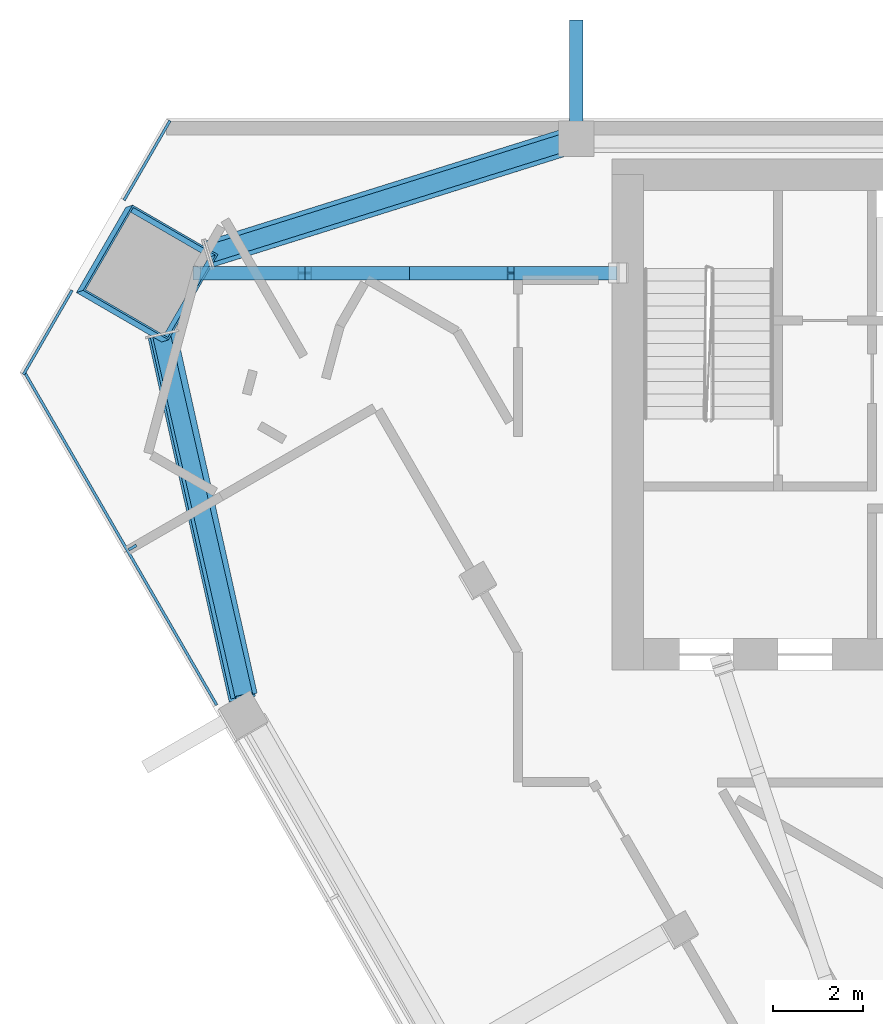
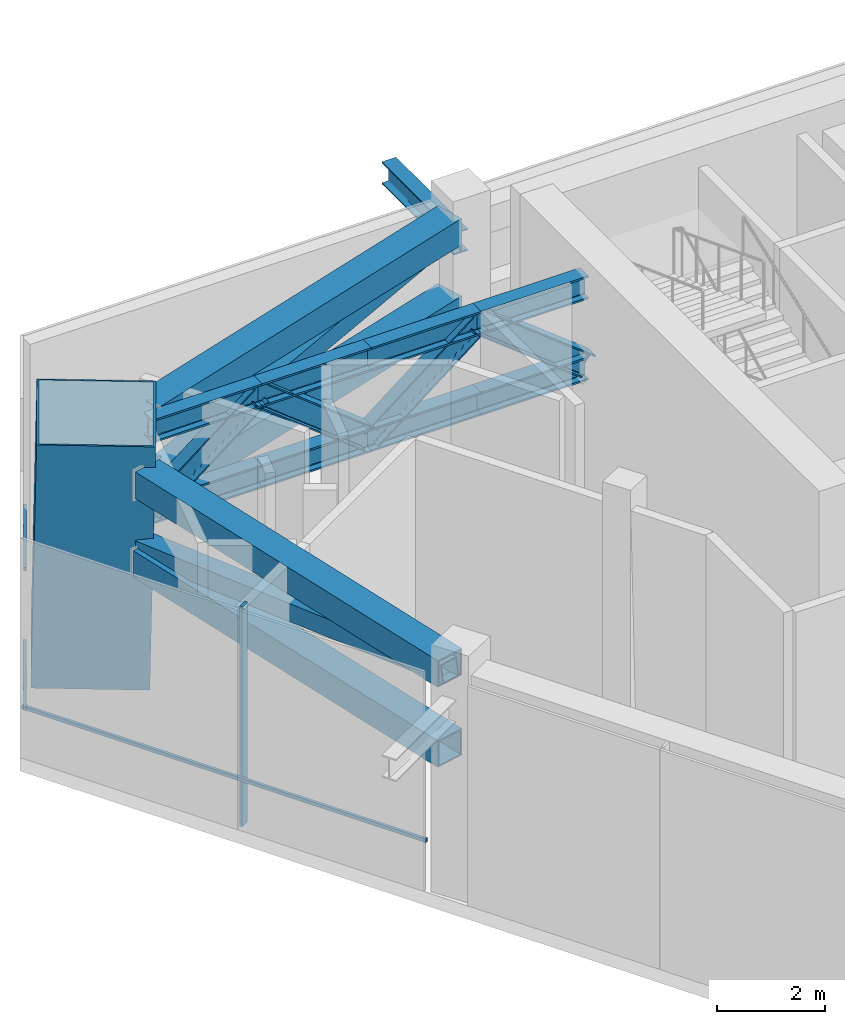
# One storey, part 5 of 14: 24 members, 2 elements without a shape of their own.
"""IFC4 building model written with IfcOpenShell, lengths in metres."""

from ifc_helpers import new_model, si_unit, direction, frame, origin, origin_2d, place, context, subcontext, project, spatial, rectangle, hollow_rectangle, i_section, extrude, material, layer, layer_set, material_profile, profile_set, type_object, element, aggregate, save


model = new_model("IFC4")

# Units and contexts
model_context = context("Model", 3, precision=1e-05, world=origin(), true_north=direction((0.0, 1.0)))
body_context = subcontext(model_context, "Body", "Model", "MODEL_VIEW")
ifc_project = project(units=[si_unit("LENGTHUNIT", "METRE"), si_unit("AREAUNIT", "SQUARE_METRE"), si_unit("VOLUMEUNIT", "CUBIC_METRE"), si_unit("PLANEANGLEUNIT", "RADIAN"), si_unit("MASSUNIT", "GRAM", prefix="KILO")], contexts=[model_context])

# Site, building, storey
site_placement = place(None, origin())
site = spatial("IfcSite", under=ifc_project, at=site_placement, CompositionType="ELEMENT")
building_placement = place(site_placement, origin())
building = spatial("IfcBuilding", under=site, at=building_placement, Name="Altiplano Prism Tower", CompositionType="ELEMENT")
storey_placement = place(building_placement, frame((0.0, 0.0, 189.0)))
storey = spatial("IfcBuildingStorey", under=building, at=storey_placement, Name="L49", CompositionType="ELEMENT", Elevation=189.0)

# Members
ifc_material_1 = material(Name="Steel S355", Category="steel")
ifc_material_profile_1 = material_profile(ifc_material_1, hollow_rectangle(XDim=0.60009765625, YDim=0.60009765625, WallThickness=0.030029296875, at=origin_2d()), Name="Belt chord Box 600x600x30")
ifc_profile_set_1 = profile_set([ifc_material_profile_1], Name="Steel S355")
member_type_1 = type_object("IfcMemberType", Name="Belt chord Box 600x600x30", PredefinedType="CHORD", material=ifc_profile_set_1)
member_1_placement = place(storey_placement, frame((71.214599609375, 104.46044921875, 2.89990234375), z_axis=(-0.954049873713, -0.299647857439, 0.0), x_axis=(0.299647857439, -0.954049873713, 0.0)))
element("IfcMember", 1, at=member_1_placement, inside=storey, type_object=member_type_1, Name="Belt truss R2 chord b4", PredefinedType="CHORD", context=body_context, shape_type="SweptSolid", body=[
    extrude(hollow_rectangle(XDim=0.60009765625, YDim=0.60009765625, WallThickness=0.030029296875, at=origin_2d()), origin(), (0.0, 0.0, 1.0), 8.311279296875),
])
member_2_placement = place(storey_placement, frame((71.214599609375, 104.46044921875, 4.64990234375), z_axis=(-0.954068816021, -0.299587540289, 0.0), x_axis=(0.299587540289, -0.954068816021, 0.0)))
element("IfcMember", 2, at=member_2_placement, inside=storey, type_object=member_type_1, Name="Belt truss R2 chord t4", PredefinedType="CHORD", context=body_context, shape_type="SweptSolid", body=[
    extrude(hollow_rectangle(XDim=0.60009765625, YDim=0.60009765625, WallThickness=0.030029296875, at=origin_2d()), origin(), (0.0, 0.0, 1.0), 8.25927734375),
])
member_3_placement = place(storey_placement, frame((62.243896484375, 100.166748046875, 2.89990234375), z_axis=(0.217552476104, -0.97604862591, 0.0), x_axis=(0.97604862591, 0.217552476104, 0.0)))
element("IfcMember", 3, at=member_3_placement, inside=storey, type_object=member_type_1, Name="Belt truss R2 chord b5", PredefinedType="CHORD", context=body_context, shape_type="SweptSolid", body=[
    extrude(hollow_rectangle(XDim=0.60009765625, YDim=0.60009765625, WallThickness=0.030029296875, at=origin_2d()), origin(), (0.0, 0.0, 1.0), 8.31103515625),
])
member_4_placement = place(storey_placement, frame((62.293701171875, 100.18310546875, 4.64990234375), z_axis=(0.21759709034, -0.976038680727, 0.0), x_axis=(0.976038680727, 0.21759709034, 0.0)))
element("IfcMember", 4, at=member_4_placement, inside=storey, type_object=member_type_1, Name="Belt truss R2 chord t5", PredefinedType="CHORD", context=body_context, shape_type="SweptSolid", body=[
    extrude(hollow_rectangle(XDim=0.60009765625, YDim=0.60009765625, WallThickness=0.030029296875, at=origin_2d()), origin(), (0.0, 0.0, 1.0), 8.259033203125),
])
ifc_material_profile_2 = material_profile(ifc_material_1, hollow_rectangle(XDim=0.39990234375, YDim=0.39990234375, WallThickness=0.02001953125, at=origin_2d()), Name="Belt diagonal Box 400x400x20")
ifc_profile_set_2 = profile_set([ifc_material_profile_2], Name="Steel S355")
member_type_2 = type_object("IfcMemberType", Name="Belt diagonal Box 400x400x20", PredefinedType="BRACE", material=ifc_profile_set_2)
member_5_placement = place(storey_placement, frame((71.214599609375, 104.46044921875, 4.59765625), z_axis=(-0.939842309471, -0.295176604733, -0.171951171401), x_axis=(0.299639594502, -0.954052468896, 0.0)))
element("IfcMember", 5, at=member_5_placement, inside=storey, type_object=member_type_2, Name="Belt truss R2 diagonal 4", PredefinedType="BRACE", context=body_context, shape_type="SweptSolid", body=[
    extrude(hollow_rectangle(XDim=0.39990234375, YDim=0.39990234375, WallThickness=0.02001953125, at=origin_2d()), origin(), (0.0, 0.0, 1.0), 8.477783203125),
])
member_6_placement = place(storey_placement, frame((62.242431640625, 100.20751953125, 3.14111328125), z_axis=(0.219321908095, -0.960203780052, 0.172935252054), x_axis=(0.974892292122, 0.222676938101, 0.0)))
element("IfcMember", 6, at=member_6_placement, inside=storey, type_object=member_type_2, Name="Belt truss R2 diagonal 5", PredefinedType="BRACE", context=body_context, shape_type="SweptSolid", body=[
    extrude(hollow_rectangle(XDim=0.39990234375, YDim=0.39990234375, WallThickness=0.02001953125, at=origin_2d()), origin(), (0.0, 0.0, 1.0), 8.421142578125),
])
ifc_material_profile_3 = material_profile(ifc_material_1, i_section(OverallWidth=0.300048828125, OverallDepth=0.5, WebThickness=0.014404296875, FlangeThickness=0.028076171875, FilletRadius=0.027099609375, at=origin_2d()), Name="Brace bracket HEB 500")
ifc_profile_set_3 = profile_set([ifc_material_profile_3], Name="Steel S355")
member_type_3 = type_object("IfcMemberType", Name="Brace bracket HEB 500", PredefinedType="STRUT", material=ifc_profile_set_3)
member_7_placement = place(storey_placement, frame((71.5, 104.550048828125, 4.12353515625), z_axis=(0.0, 1.0, 0.0), x_axis=(-1.0, 0.0, 0.0)))
element("IfcMember", 7, at=member_7_placement, inside=storey, type_object=member_type_3, Name="Brace bracket 0.194.4", PredefinedType="STRUT", context=body_context, shape_type="SweptSolid", body=[
    extrude(i_section(OverallWidth=0.300048828125, OverallDepth=0.5, WebThickness=0.014404296875, FlangeThickness=0.028076171875, FilletRadius=0.027099609375, at=origin_2d()), origin(), (0.0, 0.0, 1.0), 2.64990234375),
])

# Curtain wall, member
ifc_material_2 = material(Name="Aluminium and glass", Category="aluminium")
ifc_layer = layer(ifc_material_2, 0.320068359375)
ifc_layer_set = layer_set([ifc_layer], Name="Aluminium and glass")
curtain_wall_type = type_object("IfcCurtainWallType", Name="CW6 louvred plant-floor curtain wall", PredefinedType="NOTDEFINED", material=ifc_layer_set)
curtain_wall_1_placement = place(storey_placement, origin())
curtain_wall_1 = element("IfcCurtainWall", 8, at=curtain_wall_1_placement, inside=storey, type_object=curtain_wall_type, Name="CW6 curtain wall south-west face L49", PredefinedType="NOTDEFINED")
ifc_material_3 = material(Name="Aluminium", Category="aluminium")
ifc_material_profile_4 = material_profile(ifc_material_3, rectangle(XDim=0.199951171875, YDim=0.06005859375, at=origin_2d()), Name="CW6 mullion 60 x 200")
ifc_profile_set_4 = profile_set([ifc_material_profile_4], Name="Aluminium")
member_type_4 = type_object("IfcMemberType", Name="CW6 mullion 60 x 200", PredefinedType="MULLION", material=ifc_profile_set_4)
member_8_placement = place(storey_placement, frame((61.603515625, 95.43310546875, 0.0), z_axis=(0.0, 0.0, 1.0), x_axis=(0.866025397379, 0.500000011094, 0.0)))
member_8 = element("IfcMember", 9, at=member_8_placement, type_object=member_type_4, Name="CW6 mullion", PredefinedType="MULLION", context=body_context, shape_type="SweptSolid", body=[
    extrude(rectangle(XDim=0.199951171875, YDim=0.06005859375, at=origin_2d()), origin(), (0.0, 0.0, 1.0), 4.949951171875),
])

# Curtain wall, members
curtain_wall_2_placement = place(storey_placement, origin())
curtain_wall_2 = element("IfcCurtainWall", 10, at=curtain_wall_2_placement, inside=storey, type_object=curtain_wall_type, Name="CW6 curtain wall north-west chamfer L49", PredefinedType="NOTDEFINED")
ifc_material_profile_5 = material_profile(ifc_material_3, rectangle(XDim=0.06005859375, YDim=0.080078125, at=origin_2d()), Name="CW6 transom 80 x 60")
ifc_profile_set_5 = profile_set([ifc_material_profile_5], Name="Aluminium")
member_type_5 = type_object("IfcMemberType", Name="CW6 transom 80 x 60", PredefinedType="USERDEFINED", material=ifc_profile_set_5)
member_9_placement = place(storey_placement, frame((62.440185546875, 104.955078125, 1.10009765625), z_axis=(-0.499908181442, -0.866078408764, 0.0), x_axis=(0.866078408764, -0.499908181442, 0.0)))
member_9 = element("IfcMember", 11, at=member_9_placement, type_object=member_type_5, Name="CW6 transom", ObjectType="TRANSOM", PredefinedType="USERDEFINED", context=body_context, shape_type="SweptSolid", body=[
    extrude(rectangle(XDim=0.06005859375, YDim=0.080078125, at=origin_2d()), origin(), (0.0, 0.0, 1.0), 2.04833984375),
])
member_10_placement = place(storey_placement, frame((60.256103515625, 101.172119140625, 1.10009765625), z_axis=(-0.499966140396, -0.866044951753, 0.0), x_axis=(0.866044951753, -0.499966140396, 0.0)))
member_10 = element("IfcMember", 12, at=member_10_placement, type_object=member_type_5, Name="CW6 transom", ObjectType="TRANSOM", PredefinedType="USERDEFINED", context=body_context, shape_type="SweptSolid", body=[
    extrude(rectangle(XDim=0.06005859375, YDim=0.080078125, at=origin_2d()), origin(), (0.0, 0.0, 1.0), 2.168212890625),
])
aggregate(curtain_wall_2, [member_9, member_10])

# Member
member_11_placement = place(storey_placement, frame((59.172119140625, 99.38427734375, 1.10009765625), z_axis=(0.500011834574, -0.866018570982, 0.0), x_axis=(0.866018570982, 0.500011834574, 0.0)))
member_11 = element("IfcMember", 13, at=member_11_placement, type_object=member_type_5, Name="CW6 transom", ObjectType="TRANSOM", PredefinedType="USERDEFINED", context=body_context, shape_type="SweptSolid", body=[
    extrude(rectangle(XDim=0.06005859375, YDim=0.080078125, at=origin_2d()), origin(), (0.0, 0.0, 1.0), 8.617431640625),
])

aggregate(curtain_wall_1, [member_8, member_11])

# Members
ifc_material_4 = material(Name="Steel S460", Category="steel")
ifc_material_profile_6 = material_profile(ifc_material_4, hollow_rectangle(XDim=2.199951171875, YDim=2.199951171875, WallThickness=0.0400390625, at=origin_2d()), Name="Mega column tube 2200")
ifc_profile_set_6 = profile_set([ifc_material_profile_6], Name="Steel S460")
member_type_6 = type_object("IfcMemberType", Name="Mega column tube 2200", PredefinedType="POST", material=ifc_profile_set_6)
member_12_placement = place(storey_placement, frame((61.85400390625, 101.519775390625, 0.0), z_axis=(0.028425675249, 0.009219137918, 0.999553394513), x_axis=(-0.865003058104, 0.501368833998, 0.019975028547)))
element("IfcMember", 14, at=member_12_placement, inside=storey, type_object=member_type_6, Name="Mega column tube M0 L49", PredefinedType="POST", context=body_context, shape_type="SweptSolid", body=[
    extrude(hollow_rectangle(XDim=2.199951171875, YDim=2.199951171875, WallThickness=0.0400390625, at=origin_2d()), origin(), (0.0, 0.0, 1.0), 5.40234375),
])
ifc_material_profile_7 = material_profile(ifc_material_1, i_section(OverallWidth=0.305908203125, OverallDepth=0.52392578125, WebThickness=0.02099609375, FlangeThickness=0.0400390625, FilletRadius=0.027099609375, at=origin_2d()), Name="Outrigger chord HEM 500")
ifc_profile_set_7 = profile_set([ifc_material_profile_7], Name="Steel S355")
member_type_7 = type_object("IfcMemberType", Name="Outrigger chord HEM 500", PredefinedType="CHORD", material=ifc_profile_set_7)
for number, where, z_axis, x_axis, name in (
    (15, (63.111572265625, 101.5546875, 2.862060546875), (1.0, 0.0, 0.0), (0.0, 1.0, 0.0), "Outrigger truss R2 1 chord b1"),
    (16, (63.111572265625, 101.5546875, 4.68798828125), (1.0, 0.0, 0.0), (0.0, 1.0, 0.0), "Outrigger truss R2 1 chord t1"),
):
    element("IfcMember", number, at=place(storey_placement, frame(where, z_axis=z_axis, x_axis=x_axis)), inside=storey, type_object=member_type_7, Name=name, PredefinedType="CHORD", context=body_context, shape_type="SweptSolid", body=[
        extrude(i_section(OverallWidth=0.305908203125, OverallDepth=0.52392578125, WebThickness=0.02099609375, FlangeThickness=0.0400390625, FilletRadius=0.027099609375, at=origin_2d()), origin(), (0.0, 0.0, 1.0), 2.33447265625),
    ])
for number, where, z_axis, x_axis, name in (
    (17, (65.446044921875, 101.5546875, 2.862060546875), (1.0, 0.0, 0.0), (0.0, 1.0, 0.0), "Outrigger truss R2 1 chord b2"),
    (18, (65.446044921875, 101.5546875, 4.68798828125), (1.0, 0.0, 0.0), (0.0, 1.0, 0.0), "Outrigger truss R2 1 chord t2"),
    (19, (67.78076171875, 101.5546875, 2.862060546875), (1.0, 0.0, 0.0), (0.0, 1.0, 0.0), "Outrigger truss R2 1 chord b3"),
    (20, (67.78076171875, 101.5546875, 4.68798828125), (1.0, 0.0, 0.0), (0.0, 1.0, 0.0), "Outrigger truss R2 1 chord t3"),
):
    element("IfcMember", number, at=place(storey_placement, frame(where, z_axis=z_axis, x_axis=x_axis)), inside=storey, type_object=member_type_7, Name=name, PredefinedType="CHORD", context=body_context, shape_type="SweptSolid", body=[
        extrude(i_section(OverallWidth=0.305908203125, OverallDepth=0.52392578125, WebThickness=0.02099609375, FlangeThickness=0.0400390625, FilletRadius=0.027099609375, at=origin_2d()), origin(), (0.0, 0.0, 1.0), 2.334716796875),
    ])
for number, where, z_axis, x_axis, name in (
    (21, (70.115478515625, 101.5546875, 2.862060546875), (1.0, 0.0, 0.0), (0.0, 1.0, 0.0), "Outrigger truss R2 1 chord b4"),
    (22, (70.115478515625, 101.5546875, 4.68798828125), (1.0, 0.0, 0.0), (0.0, 1.0, 0.0), "Outrigger truss R2 1 chord t4"),
):
    element("IfcMember", number, at=place(storey_placement, frame(where, z_axis=z_axis, x_axis=x_axis)), inside=storey, type_object=member_type_7, Name=name, PredefinedType="CHORD", context=body_context, shape_type="SweptSolid", body=[
        extrude(i_section(OverallWidth=0.305908203125, OverallDepth=0.52392578125, WebThickness=0.02099609375, FlangeThickness=0.0400390625, FilletRadius=0.027099609375, at=origin_2d()), origin(), (0.0, 0.0, 1.0), 2.29443359375),
    ])
ifc_material_profile_8 = material_profile(ifc_material_1, i_section(OverallWidth=0.300048828125, OverallDepth=0.5, WebThickness=0.014404296875, FlangeThickness=0.028076171875, FilletRadius=0.027099609375, at=origin_2d()), Name="Outrigger diagonal HEB 500")
ifc_profile_set_8 = profile_set([ifc_material_profile_8], Name="Steel S355")
member_type_8 = type_object("IfcMemberType", Name="Outrigger diagonal HEB 500", PredefinedType="BRACE", material=ifc_profile_set_8)
member_13_placement = place(storey_placement, frame((63.111572265625, 101.5546875, 2.862060546875), z_axis=(0.787677061295, 0.0, 0.616088343592), x_axis=(0.0, 1.0, 0.0)))
element("IfcMember", 23, at=member_13_placement, inside=storey, type_object=member_type_8, Name="Outrigger truss R2 1 diagonal 1", PredefinedType="BRACE", context=body_context, shape_type="SweptSolid", body=[
    extrude(i_section(OverallWidth=0.300048828125, OverallDepth=0.5, WebThickness=0.014404296875, FlangeThickness=0.028076171875, FilletRadius=0.027099609375, at=origin_2d()), origin(), (0.0, 0.0, 1.0), 2.963623046875),
])
for number, where, z_axis, x_axis, name in (
    (24, (65.446044921875, 101.5546875, 4.68798828125), (0.787708325197, 0.0, -0.616048370192), (0.0, 1.0, 0.0), "Outrigger truss R2 1 diagonal 2"),
    (25, (67.78076171875, 101.5546875, 2.862060546875), (0.787708325197, 0.0, 0.616048370192), (0.0, 1.0, 0.0), "Outrigger truss R2 1 diagonal 3"),
):
    element("IfcMember", number, at=place(storey_placement, frame(where, z_axis=z_axis, x_axis=x_axis)), inside=storey, type_object=member_type_8, Name=name, PredefinedType="BRACE", context=body_context, shape_type="SweptSolid", body=[
        extrude(i_section(OverallWidth=0.300048828125, OverallDepth=0.5, WebThickness=0.014404296875, FlangeThickness=0.028076171875, FilletRadius=0.027099609375, at=origin_2d()), origin(), (0.0, 0.0, 1.0), 2.9638671875),
    ])
member_14_placement = place(storey_placement, frame((70.115478515625, 101.5546875, 4.68798828125), z_axis=(0.787681176206, 0.0, -0.616083082588), x_axis=(0.0, 1.0, 0.0)))
element("IfcMember", 26, at=member_14_placement, inside=storey, type_object=member_type_8, Name="Outrigger truss R2 1 diagonal 4", PredefinedType="BRACE", context=body_context, shape_type="SweptSolid", body=[
    extrude(i_section(OverallWidth=0.300048828125, OverallDepth=0.5, WebThickness=0.014404296875, FlangeThickness=0.028076171875, FilletRadius=0.027099609375, at=origin_2d()), origin(), (0.0, 0.0, 1.0), 2.923828125),
])

save(model, "model.ifc")
